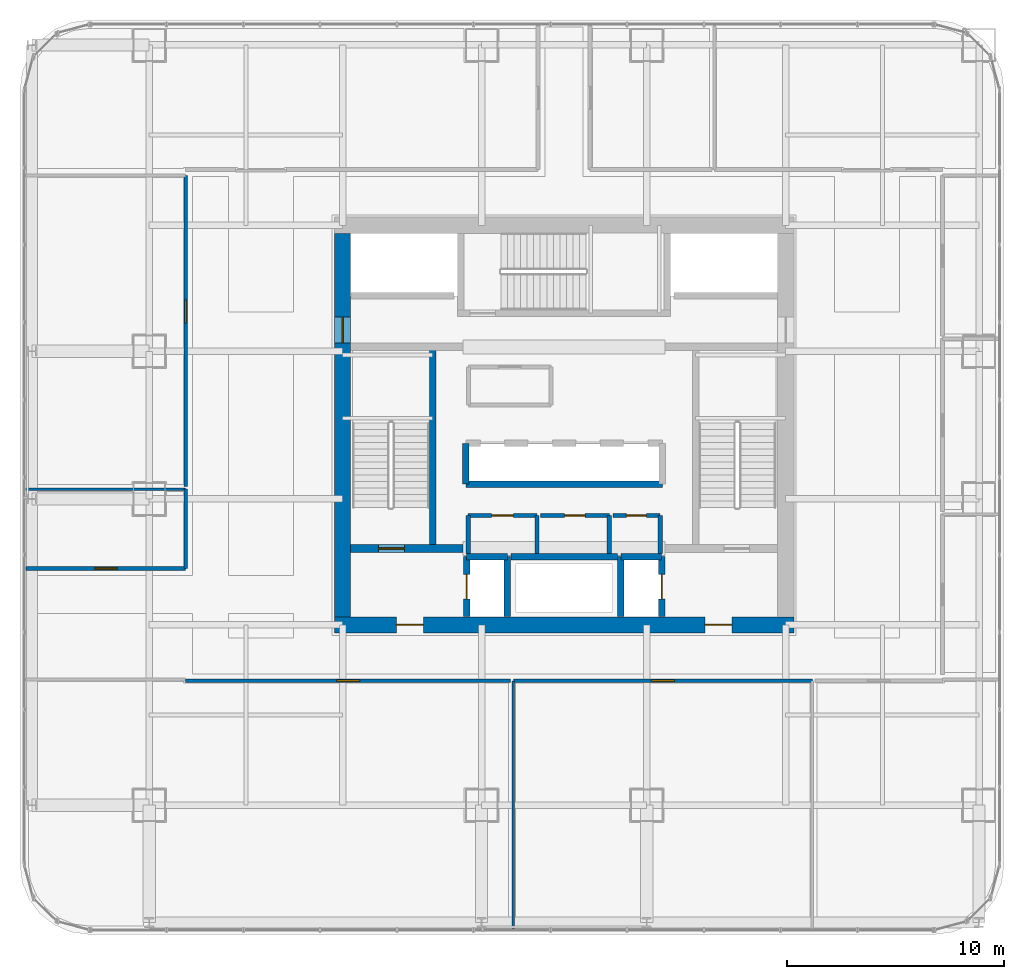
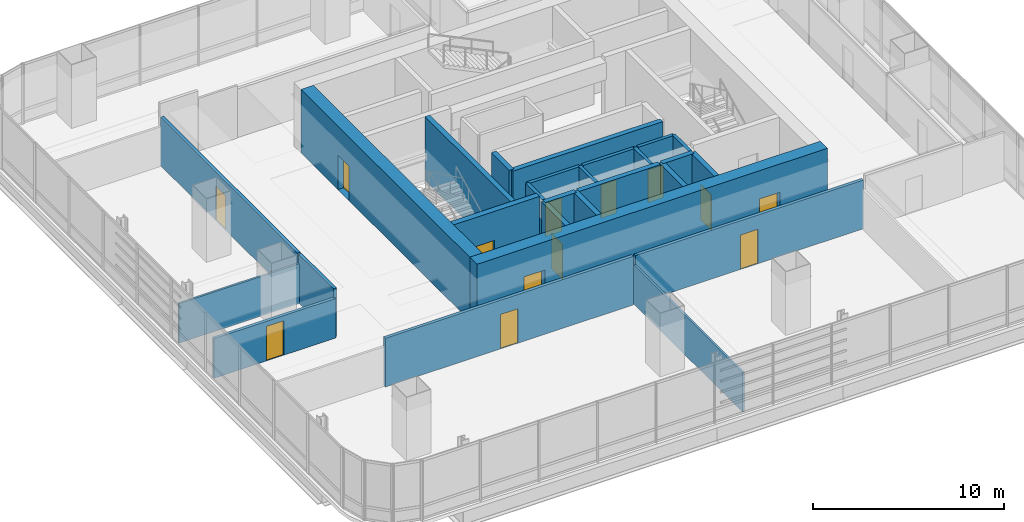
# One storey, part 28 of 36: 27 walls, 13 doors, 13 openings.
"""IFC4 building model written with IfcOpenShell, lengths in metres."""

from ifc_helpers import new_model, si_unit, direction, frame, frame_2d, origin, place, context, subcontext, project, spatial, rectangle, extrude, material, layer, layer_set, type_object, element, fill, save


model = new_model("IFC4")

# Units and contexts
model_context = context("Model", 3, precision=1e-05, world=origin(), true_north=direction((0.0, 1.0)))
body_context = subcontext(model_context, "Body", "Model", "MODEL_VIEW")
ifc_project = project(units=[si_unit("LENGTHUNIT", "METRE"), si_unit("AREAUNIT", "SQUARE_METRE"), si_unit("VOLUMEUNIT", "CUBIC_METRE"), si_unit("PLANEANGLEUNIT", "RADIAN"), si_unit("MASSUNIT", "GRAM", prefix="KILO")], contexts=[model_context])

# Site, building, storey
site_placement = place(None, origin())
site = spatial("IfcSite", under=ifc_project, at=site_placement, CompositionType="ELEMENT")
building_placement = place(site_placement, origin())
building = spatial("IfcBuilding", under=site, at=building_placement, Name="Punatoya Terracotta Tower", CompositionType="ELEMENT")
storey_placement = place(building_placement, frame((0.0, 0.0, 40.35009765625)))
storey = spatial("IfcBuildingStorey", under=building, at=storey_placement, Name="L08", CompositionType="ELEMENT", Elevation=40.35009765625)

# Wall, openings, doors
ifc_material_1 = material(Name="Concrete C60/75", Category="concrete")
ifc_layer_1 = layer(ifc_material_1, 0.75)
ifc_layer_set_1 = layer_set([ifc_layer_1], Name="Concrete C60/75")
wall_type_1 = type_object("IfcWallType", Name="WL-COR-750", PredefinedType="SHEAR", material=ifc_layer_set_1)
wall_1_placement = place(storey_placement, frame((10.574951171875, -9.199951171875, 0.0), z_axis=(0.0, 0.0, 1.0), x_axis=(-1.0, 0.0, 0.0)))
wall_1 = element("IfcWall", 1, at=wall_1_placement, inside=storey, type_object=wall_type_1, Name="L08 Core Shear Wall S", PredefinedType="SHEAR", context=body_context, shape_type="SweptSolid", body=[
    extrude(rectangle(XDim=21.14990234375, YDim=0.75, at=frame_2d((10.574951171875, 0.0))), origin(), (0.0, 0.0, 1.0), 4.0498046875),
])
opening_1_placement = place(wall_1_placement, frame((2.85009765625, 0.0, 0.0)))
opening_1 = element("IfcOpeningElement", 2, at=opening_1_placement, cuts=wall_1, Name="Opening FD-L1", PredefinedType="OPENING", context=body_context, shape_type="SweptSolid", body=[
    extrude(rectangle(XDim=1.25, YDim=2.25, at=frame_2d((0.625, 1.125))), frame((0.0, 0.385009765625, 0.0), z_axis=(0.0, -1.0, 0.0), x_axis=(1.0, 0.0, 0.0)), (0.0, 0.0, 1.0), 0.77001953125),
])
opening_2_placement = place(wall_1_placement, frame((17.050048828125, 0.0, 0.0)))
opening_2 = element("IfcOpeningElement", 3, at=opening_2_placement, cuts=wall_1, Name="Opening FD-L1", PredefinedType="OPENING", context=body_context, shape_type="SweptSolid", body=[
    extrude(rectangle(XDim=1.25, YDim=2.25, at=frame_2d((0.625, 1.125))), frame((0.0, 0.385009765625, 0.0), z_axis=(0.0, -1.0, 0.0), x_axis=(1.0, 0.0, 0.0)), (0.0, 0.0, 1.0), 0.77001953125),
])
ifc_material_2 = material(Name="Galvanised Steel Smokeproof Fire Door", Category="steel")
door_type_1 = type_object("IfcDoorType", Name="DR-FFL-1250", OperationType="NOTDEFINED", PredefinedType="DOOR", material=ifc_material_2)
door_1_placement = place(opening_1_placement, origin())
door_1 = element("IfcDoor", 4, at=door_1_placement, inside=storey, type_object=door_type_1, Name="L08 East Firefighting Lobby Corridor Fire Door", OperationType="SINGLE_SWING_LEFT", OverallHeight=2.25, OverallWidth=1.25, PredefinedType="DOOR", context=body_context, shape_type="SweptSolid", body=[
    extrude(rectangle(XDim=1.25, YDim=2.25, at=frame_2d((0.625, 1.125))), frame((0.0, 0.02490234375, 0.0), z_axis=(0.0, -1.0, 0.0), x_axis=(1.0, 0.0, 0.0)), (0.0, 0.0, 1.0), 0.050048828125),
])
fill(opening_1, door_1)
door_2_placement = place(opening_2_placement, origin())
door_2 = element("IfcDoor", 5, at=door_2_placement, inside=storey, type_object=door_type_1, Name="L08 West Firefighting Lobby Corridor Fire Door", OperationType="SINGLE_SWING_RIGHT", OverallHeight=2.25, OverallWidth=1.25, PredefinedType="DOOR", context=body_context, shape_type="SweptSolid", body=[
    extrude(rectangle(XDim=1.25, YDim=2.25, at=frame_2d((0.625, 1.125))), frame((0.0, 0.02490234375, 0.0), z_axis=(0.0, -1.0, 0.0), x_axis=(1.0, 0.0, 0.0)), (0.0, 0.0, 1.0), 0.050048828125),
])
fill(opening_2, door_2)

# Wall, opening, door
wall_2_placement = place(storey_placement, frame((-10.199951171875, -8.824951171875, 0.0), z_axis=(0.0, 0.0, 1.0), x_axis=(0.0, 1.0, 0.0)))
wall_2 = element("IfcWall", 6, at=wall_2_placement, inside=storey, type_object=wall_type_1, Name="L08 Core Shear Wall W", PredefinedType="SHEAR", context=body_context, shape_type="SweptSolid", body=[
    extrude(rectangle(XDim=17.64990234375, YDim=0.75, at=frame_2d((8.824951171875, 0.0))), origin(), (0.0, 0.0, 1.0), 4.0498046875),
])
opening_3_placement = place(wall_2_placement, frame((12.614990234375, 0.0, 0.0)))
opening_3 = element("IfcOpeningElement", 7, at=opening_3_placement, cuts=wall_2, Name="Opening SD-01", PredefinedType="OPENING", context=body_context, shape_type="SweptSolid", body=[
    extrude(rectangle(XDim=1.179931640625, YDim=2.199951171875, at=frame_2d((0.58984375, 1.10009765625))), frame((0.0, 0.385009765625, 0.0), z_axis=(0.0, -1.0, 0.0), x_axis=(1.0, 0.0, 0.0)), (0.0, 0.0, 1.0), 0.77001953125),
])
ifc_material_3 = material(Name="Galvanised Steel Pressurized Stair Fire Door", Category="steel")
door_type_2 = type_object("IfcDoorType", Name="DR-STR-1180", OperationType="NOTDEFINED", PredefinedType="DOOR", material=ifc_material_3)
door_3_placement = place(opening_3_placement, origin())
door_3 = element("IfcDoor", 8, at=door_3_placement, inside=storey, type_object=door_type_2, Name="L08 Central Lift Lobby West Fire Door", OperationType="SINGLE_SWING_LEFT", OverallHeight=2.199951171875, OverallWidth=1.179931640625, PredefinedType="DOOR", context=body_context, shape_type="SweptSolid", body=[
    extrude(rectangle(XDim=1.179931640625, YDim=2.199951171875, at=frame_2d((0.58984375, 1.10009765625))), frame((0.0, 0.02490234375, 0.0), z_axis=(0.0, -1.0, 0.0), x_axis=(1.0, 0.0, 0.0)), (0.0, 0.0, 1.0), 0.050048828125),
])
fill(opening_3, door_3)

ifc_material_4 = material(Name="Gypsum Fireboard + Steel Stud", Category="steel")
ifc_layer_2 = layer(ifc_material_4, 0.179931640625)
ifc_layer_set_2 = layer_set([ifc_layer_2], Name="Gypsum Fireboard + Steel Stud")
wall_type_2 = type_object("IfcWallType", Name="WL-CORR-180", PredefinedType="PARTITIONING", material=ifc_layer_set_2)
wall_3_placement = place(storey_placement, frame((-2.340087890625, -11.77001953125, 0.0), z_axis=(0.0, 0.0, 1.0), x_axis=(1.0, 0.0, 0.0)))
wall_3 = element("IfcWall", 9, at=wall_3_placement, inside=storey, type_object=wall_type_2, Name="L08 Open Workplace Studio Partition 14", PredefinedType="PARTITIONING", context=body_context, shape_type="SweptSolid", body=[
    extrude(rectangle(XDim=13.77001953125, YDim=0.179931640625, at=frame_2d((6.885009765625, 0.0))), origin(), (0.0, 0.0, 1.0), 3.10400390625),
])
opening_4_placement = place(wall_3_placement, frame((6.360107421875, 0.0, 0.0)))
opening_4 = element("IfcOpeningElement", 10, at=opening_4_placement, cuts=wall_3, Name="Opening OD-01", PredefinedType="OPENING", context=body_context, shape_type="SweptSolid", body=[
    extrude(rectangle(XDim=1.050048828125, YDim=2.199951171875, at=frame_2d((0.52490234375, 1.10009765625))), frame((0.0, 0.099853515625, 0.0), z_axis=(0.0, -1.0, 0.0), x_axis=(1.0, 0.0, 0.0)), (0.0, 0.0, 1.0), 0.199951171875),
])
ifc_material_5 = material(Name="Bengal Teak Solid-Core Leaf")
door_type_3 = type_object("IfcDoorType", Name="DR-OFF-1050", OperationType="NOTDEFINED", PredefinedType="DOOR", material=ifc_material_5)
door_4_placement = place(opening_4_placement, origin())
door_4 = element("IfcDoor", 11, at=door_4_placement, inside=storey, type_object=door_type_3, Name="L08 Open Workplace Studio Door", OperationType="SINGLE_SWING_RIGHT", OverallHeight=2.199951171875, OverallWidth=1.050048828125, PredefinedType="DOOR", context=body_context, shape_type="SweptSolid", body=[
    extrude(rectangle(XDim=1.050048828125, YDim=2.199951171875, at=frame_2d((0.52490234375, 1.10009765625))), frame((0.0, 0.02490234375, 0.0), z_axis=(0.0, -1.0, 0.0), x_axis=(1.0, 0.0, 0.0)), (0.0, 0.0, 1.0), 0.050048828125),
])
fill(opening_4, door_4)

wall_4_placement = place(storey_placement, frame((-17.419921875, -11.77001953125, 0.0), z_axis=(0.0, 0.0, 1.0), x_axis=(1.0, 0.0, 0.0)))
wall_4 = element("IfcWall", 12, at=wall_4_placement, inside=storey, type_object=wall_type_2, Name="L08 Analytical Practice Office Partition 15", PredefinedType="PARTITIONING", context=body_context, shape_type="SweptSolid", body=[
    extrude(rectangle(XDim=14.9599609375, YDim=0.179931640625, at=frame_2d((7.47998046875, 0.0))), origin(), (0.0, 0.0, 1.0), 3.10400390625),
])
opening_5_placement = place(wall_4_placement, frame((6.955078125, 0.0, 0.0)))
opening_5 = element("IfcOpeningElement", 13, at=opening_5_placement, cuts=wall_4, Name="Opening OD-01", PredefinedType="OPENING", context=body_context, shape_type="SweptSolid", body=[
    extrude(rectangle(XDim=1.050048828125, YDim=2.199951171875, at=frame_2d((0.52490234375, 1.10009765625))), frame((0.0, 0.099853515625, 0.0), z_axis=(0.0, -1.0, 0.0), x_axis=(1.0, 0.0, 0.0)), (0.0, 0.0, 1.0), 0.199951171875),
])
door_5_placement = place(opening_5_placement, origin())
door_5 = element("IfcDoor", 14, at=door_5_placement, inside=storey, type_object=door_type_3, Name="L08 Analytical Practice Office Door", OperationType="SINGLE_SWING_LEFT", OverallHeight=2.199951171875, OverallWidth=1.050048828125, PredefinedType="DOOR", context=body_context, shape_type="SweptSolid", body=[
    extrude(rectangle(XDim=1.050048828125, YDim=2.199951171875, at=frame_2d((0.52490234375, 1.10009765625))), frame((0.0, 0.02490234375, 0.0), z_axis=(0.0, -1.0, 0.0), x_axis=(1.0, 0.0, 0.0)), (0.0, 0.0, 1.0), 0.050048828125),
])
fill(opening_5, door_5)

wall_5_placement = place(storey_placement, frame((-17.419921875, -6.60009765625, 0.0), z_axis=(0.0, 0.0, 1.0), x_axis=(-1.0, 0.0, 0.0)))
wall_5 = element("IfcWall", 15, at=wall_5_placement, inside=storey, type_object=wall_type_2, Name="L08 Open-Plan Digital Reference Library Partition 21", PredefinedType="PARTITIONING", context=body_context, shape_type="SweptSolid", body=[
    extrude(rectangle(XDim=7.35009765625, YDim=0.179931640625, at=frame_2d((3.675048828125, 0.0))), origin(), (0.0, 0.0, 1.0), 2.52392578125),
])
opening_6_placement = place(wall_5_placement, frame((3.14990234375, 0.0, 0.0)))
opening_6 = element("IfcOpeningElement", 16, at=opening_6_placement, cuts=wall_5, Name="Opening OD-01", PredefinedType="OPENING", context=body_context, shape_type="SweptSolid", body=[
    extrude(rectangle(XDim=1.050048828125, YDim=2.199951171875, at=frame_2d((0.52490234375, 1.10009765625))), frame((0.0, 0.099853515625, 0.0), z_axis=(0.0, -1.0, 0.0), x_axis=(1.0, 0.0, 0.0)), (0.0, 0.0, 1.0), 0.199951171875),
])
door_6_placement = place(opening_6_placement, origin())
door_6 = element("IfcDoor", 17, at=door_6_placement, inside=storey, type_object=door_type_3, Name="L08 Open-Plan Digital Reference Library Door", OperationType="SINGLE_SWING_RIGHT", OverallHeight=2.199951171875, OverallWidth=1.050048828125, PredefinedType="DOOR", context=body_context, shape_type="SweptSolid", body=[
    extrude(rectangle(XDim=1.050048828125, YDim=2.199951171875, at=frame_2d((0.52490234375, 1.10009765625))), frame((0.0, 0.02490234375, 0.0), z_axis=(0.0, -1.0, 0.0), x_axis=(1.0, 0.0, 0.0)), (0.0, 0.0, 1.0), 0.050048828125),
])
fill(opening_6, door_6)

# Wall
wall_6_placement = place(storey_placement, frame((-17.419921875, -2.947998046875, 0.0), z_axis=(0.0, 0.0, 1.0), x_axis=(0.0, -1.0, 0.0)))
element("IfcWall", 18, at=wall_6_placement, inside=storey, type_object=wall_type_2, Name="L08 Open-Plan Digital Reference Library Partition 23", PredefinedType="PARTITIONING", context=body_context, shape_type="SweptSolid", body=[
    extrude(rectangle(XDim=3.652099609375, YDim=0.179931640625, at=frame_2d((1.826171875, 0.0))), origin(), (0.0, 0.0, 1.0), 3.10400390625),
])

# Wall, opening, door
wall_7_placement = place(storey_placement, frame((-17.419921875, 11.489990234375, 0.0), z_axis=(0.0, 0.0, 1.0), x_axis=(0.0, -1.0, 0.0)))
wall_7 = element("IfcWall", 19, at=wall_7_placement, inside=storey, type_object=wall_type_2, Name="L08 Open-Plan Wellness Quiet Room Partition 27", PredefinedType="PARTITIONING", context=body_context, shape_type="SweptSolid", body=[
    extrude(rectangle(XDim=14.31787109375, YDim=0.179931640625, at=frame_2d((7.158935546875, 0.0))), origin(), (0.0, 0.0, 1.0), 3.10400390625),
])
opening_7_placement = place(wall_7_placement, frame((5.73388671875, 0.0, 0.0)))
opening_7 = element("IfcOpeningElement", 20, at=opening_7_placement, cuts=wall_7, Name="Opening OD-01", PredefinedType="OPENING", context=body_context, shape_type="SweptSolid", body=[
    extrude(rectangle(XDim=1.050048828125, YDim=2.199951171875, at=frame_2d((0.52490234375, 1.10009765625))), frame((0.0, 0.099853515625, 0.0), z_axis=(0.0, -1.0, 0.0), x_axis=(1.0, 0.0, 0.0)), (0.0, 0.0, 1.0), 0.199951171875),
])
door_7_placement = place(opening_7_placement, origin())
door_7 = element("IfcDoor", 21, at=door_7_placement, inside=storey, type_object=door_type_3, Name="L08 Open-Plan Wellness Quiet Room Door", OperationType="SINGLE_SWING_RIGHT", OverallHeight=2.199951171875, OverallWidth=1.050048828125, PredefinedType="DOOR", context=body_context, shape_type="SweptSolid", body=[
    extrude(rectangle(XDim=1.050048828125, YDim=2.199951171875, at=frame_2d((0.52490234375, 1.10009765625))), frame((0.0, 0.02490234375, 0.0), z_axis=(0.0, -1.0, 0.0), x_axis=(1.0, 0.0, 0.0)), (0.0, 0.0, 1.0), 0.050048828125),
])
fill(opening_7, door_7)

# Wall
ifc_material_6 = material(Name="Concrete C40/50", Category="concrete")
ifc_layer_3 = layer(ifc_material_6, 0.199951171875)
ifc_layer_set_3 = layer_set([ifc_layer_3], Name="Concrete C40/50")
wall_type_3 = type_object("IfcWallType", Name="WL-INT-200", PredefinedType="SOLIDWALL", material=ifc_layer_set_3)
wall_8_placement = place(storey_placement, frame((-1.25, -5.89990234375, 0.0), z_axis=(0.0, 0.0, 1.0), x_axis=(0.0, 1.0, 0.0)))
element("IfcWall", 22, at=wall_8_placement, inside=storey, type_object=wall_type_3, Name="L08 Accessible Universal Washroom Partition 01", PredefinedType="SOLIDWALL", context=body_context, shape_type="SweptSolid", body=[
    extrude(rectangle(XDim=1.739990234375, YDim=0.199951171875, at=frame_2d((0.8701171875, 0.0))), origin(), (0.0, 0.0, 1.0), 3.809814453125),
])

# Wall, opening, door
wall_9_placement = place(storey_placement, frame((-1.25, -4.159912109375, 0.0), z_axis=(0.0, 0.0, 1.0), x_axis=(-1.0, 0.0, 0.0)))
wall_9 = element("IfcWall", 23, at=wall_9_placement, inside=storey, type_object=wall_type_3, Name="L08 Accessible Universal Washroom Partition 02", PredefinedType="SOLIDWALL", context=body_context, shape_type="SweptSolid", body=[
    extrude(rectangle(XDim=3.169921875, YDim=0.199951171875, at=frame_2d((1.5849609375, 0.0))), origin(), (0.0, 0.0, 1.0), 3.809814453125),
])
opening_8_placement = place(wall_9_placement, frame((1.0849609375, 0.0, 0.0)))
opening_8 = element("IfcOpeningElement", 24, at=opening_8_placement, cuts=wall_9, Name="Opening AWD-1", PredefinedType="OPENING", context=body_context, shape_type="SweptSolid", body=[
    extrude(rectangle(XDim=1.0, YDim=2.14990234375, at=frame_2d((0.5, 1.074951171875))), frame((0.0, 0.10986328125, 0.0), z_axis=(0.0, -1.0, 0.0), x_axis=(1.0, 0.0, 0.0)), (0.0, 0.0, 1.0), 0.219970703125),
])
ifc_material_7 = material(Name="Bengal Teak Accessible WC Leaf")
door_type_4 = type_object("IfcDoorType", Name="DR-ACC-1000", OperationType="NOTDEFINED", PredefinedType="DOOR", material=ifc_material_7)
door_8_placement = place(opening_8_placement, origin())
door_8 = element("IfcDoor", 25, at=door_8_placement, inside=storey, type_object=door_type_4, Name="L08 Accessible Universal Washroom Door", OperationType="SINGLE_SWING_RIGHT", OverallHeight=2.14990234375, OverallWidth=1.0, PredefinedType="DOOR", context=body_context, shape_type="SweptSolid", body=[
    extrude(rectangle(XDim=1.0, YDim=2.14990234375, at=frame_2d((0.5, 1.074951171875))), frame((0.0, 0.02490234375, 0.0), z_axis=(0.0, -1.0, 0.0), x_axis=(1.0, 0.0, 0.0)), (0.0, 0.0, 1.0), 0.050048828125),
])
fill(opening_8, door_8)

# Walls
for number, where, z_axis, x_axis, name in (
    (26, (-4.419921875, -4.159912109375, 0.0), (0.0, 0.0, 1.0), (0.0, -1.0, 0.0), "L08 Accessible Universal Washroom Partition 03"),
    (27, (2.080078125, -5.89990234375, 0.0), (0.0, 0.0, 1.0), (0.0, 1.0, 0.0), "L08 All-Gender Universal Washroom Partition 04"),
):
    element("IfcWall", number, at=place(storey_placement, frame(where, z_axis=z_axis, x_axis=x_axis)), inside=storey, type_object=wall_type_3, Name=name, PredefinedType="SOLIDWALL", context=body_context, shape_type="SweptSolid", body=[
        extrude(rectangle(XDim=1.739990234375, YDim=0.199951171875, at=frame_2d((0.8701171875, 0.0))), origin(), (0.0, 0.0, 1.0), 3.809814453125),
    ])

# Wall, opening, door
wall_10_placement = place(storey_placement, frame((2.080078125, -4.159912109375, 0.0), z_axis=(0.0, 0.0, 1.0), x_axis=(-1.0, 0.0, 0.0)))
wall_10 = element("IfcWall", 28, at=wall_10_placement, inside=storey, type_object=wall_type_3, Name="L08 All-Gender Universal Washroom Partition 05", PredefinedType="SOLIDWALL", context=body_context, shape_type="SweptSolid", body=[
    extrude(rectangle(XDim=3.170166015625, YDim=0.199951171875, at=frame_2d((1.5849609375, 0.0))), origin(), (0.0, 0.0, 1.0), 3.809814453125),
])
opening_9_placement = place(wall_10_placement, frame((1.110107421875, 0.0, 0.0)))
opening_9 = element("IfcOpeningElement", 29, at=opening_9_placement, cuts=wall_10, Name="Opening WD-01", PredefinedType="OPENING", context=body_context, shape_type="SweptSolid", body=[
    extrude(rectangle(XDim=0.949951171875, YDim=2.14990234375, at=frame_2d((0.47509765625, 1.074951171875))), frame((0.0, 0.10986328125, 0.0), z_axis=(0.0, -1.0, 0.0), x_axis=(1.0, 0.0, 0.0)), (0.0, 0.0, 1.0), 0.219970703125),
])
ifc_material_8 = material(Name="Moisture-Resistant Laminate Timber Leaf", Category="wood")
door_type_5 = type_object("IfcDoorType", Name="DR-WC-950", OperationType="NOTDEFINED", PredefinedType="DOOR", material=ifc_material_8)
door_9_placement = place(opening_9_placement, origin())
door_9 = element("IfcDoor", 30, at=door_9_placement, inside=storey, type_object=door_type_5, Name="L08 All-Gender Universal Washroom Door", OperationType="SINGLE_SWING_LEFT", OverallHeight=2.14990234375, OverallWidth=0.949951171875, PredefinedType="DOOR", context=body_context, shape_type="SweptSolid", body=[
    extrude(rectangle(XDim=0.949951171875, YDim=2.14990234375, at=frame_2d((0.47509765625, 1.074951171875))), frame((0.0, 0.02490234375, 0.0), z_axis=(0.0, -1.0, 0.0), x_axis=(1.0, 0.0, 0.0)), (0.0, 0.0, 1.0), 0.050048828125),
])
fill(opening_9, door_9)

# Wall
wall_11_placement = place(storey_placement, frame((4.419921875, -5.89990234375, 0.0), z_axis=(0.0, 0.0, 1.0), x_axis=(0.0, 1.0, 0.0)))
element("IfcWall", 31, at=wall_11_placement, inside=storey, type_object=wall_type_3, Name="L08 Core Electrical Switchgear Room Partition 06", PredefinedType="SOLIDWALL", context=body_context, shape_type="SweptSolid", body=[
    extrude(rectangle(XDim=1.739990234375, YDim=0.199951171875, at=frame_2d((0.8701171875, 0.0))), origin(), (0.0, 0.0, 1.0), 3.809814453125),
])

# Wall, opening, door
wall_12_placement = place(storey_placement, frame((4.419921875, -4.159912109375, 0.0), z_axis=(0.0, 0.0, 1.0), x_axis=(-1.0, 0.0, 0.0)))
wall_12 = element("IfcWall", 32, at=wall_12_placement, inside=storey, type_object=wall_type_3, Name="L08 Core Electrical Switchgear Room Partition 07", PredefinedType="SOLIDWALL", context=body_context, shape_type="SweptSolid", body=[
    extrude(rectangle(XDim=2.179931640625, YDim=0.199951171875, at=frame_2d((1.08984375, 0.0))), origin(), (0.0, 0.0, 1.0), 3.809814453125),
])
opening_10_placement = place(wall_12_placement, frame((0.6298828125, 0.0, 0.0)))
opening_10 = element("IfcOpeningElement", 33, at=opening_10_placement, cuts=wall_12, Name="Opening FD-R1", PredefinedType="OPENING", context=body_context, shape_type="SweptSolid", body=[
    extrude(rectangle(XDim=0.919921875, YDim=2.10009765625, at=frame_2d((0.4599609375, 1.050048828125))), frame((0.0, 0.10986328125, 0.0), z_axis=(0.0, -1.0, 0.0), x_axis=(1.0, 0.0, 0.0)), (0.0, 0.0, 1.0), 0.219970703125),
])
ifc_material_9 = material(Name="Galvanised Steel Riser Fire Access Door", Category="steel")
door_type_6 = type_object("IfcDoorType", Name="DR-RSR-920", OperationType="NOTDEFINED", PredefinedType="DOOR", material=ifc_material_9)
door_10_placement = place(opening_10_placement, origin())
door_10 = element("IfcDoor", 34, at=door_10_placement, inside=storey, type_object=door_type_6, Name="L08 Core Electrical Switchgear Room Fire Door", OperationType="SINGLE_SWING_RIGHT", OverallHeight=2.10009765625, OverallWidth=0.919921875, PredefinedType="DOOR", context=body_context, shape_type="SweptSolid", body=[
    extrude(rectangle(XDim=0.919921875, YDim=2.10009765625, at=frame_2d((0.4599609375, 1.050048828125))), frame((0.0, 0.02490234375, 0.0), z_axis=(0.0, -1.0, 0.0), x_axis=(1.0, 0.0, 0.0)), (0.0, 0.0, 1.0), 0.050048828125),
])
fill(opening_10, door_10)

# Walls
ifc_material_10 = material(Name="Gypsum Partition + Steel Stud", Category="steel")
ifc_layer_4 = layer(ifc_material_10, 0.1201171875)
ifc_layer_set_4 = layer_set([ifc_layer_4], Name="Gypsum Partition + Steel Stud")
wall_type_4 = type_object("IfcWallType", Name="WL-OFF-120", PredefinedType="PARTITIONING", material=ifc_layer_set_4)
wall_13_placement = place(storey_placement, frame((-2.340087890625, -23.169921875, 0.0), z_axis=(0.0, 0.0, 1.0), x_axis=(0.0, 1.0, 0.0)))
element("IfcWall", 35, at=wall_13_placement, inside=storey, type_object=wall_type_4, Name="L08 Open Workplace Studio Partition 13", PredefinedType="PARTITIONING", context=body_context, shape_type="SweptSolid", body=[
    extrude(rectangle(XDim=11.39990234375, YDim=0.1201171875, at=frame_2d((5.699951171875, 0.0))), origin(), (0.0, 0.0, 1.0), 2.52392578125),
])
wall_14_placement = place(storey_placement, frame((-24.77001953125, -2.947998046875, 0.0), z_axis=(0.0, 0.0, 1.0), x_axis=(1.0, 0.0, 0.0)))
element("IfcWall", 36, at=wall_14_placement, inside=storey, type_object=wall_type_4, Name="L08 Open-Plan Digital Reference Library Partition 22", PredefinedType="PARTITIONING", context=body_context, shape_type="SweptSolid", body=[
    extrude(rectangle(XDim=7.35009765625, YDim=0.1201171875, at=frame_2d((3.675048828125, 0.0))), origin(), (0.0, 0.0, 1.0), 2.52392578125),
])
ifc_layer_5 = layer(ifc_material_6, 0.300048828125)
ifc_layer_set_5 = layer_set([ifc_layer_5], Name="Concrete C40/50")
wall_type_5 = type_object("IfcWallType", Name="WL-SHF-300", PredefinedType="SOLIDWALL", material=ifc_layer_set_5)
wall_15_placement = place(storey_placement, frame((-6.050048828125, -5.5, 0.0), z_axis=(0.0, 0.0, 1.0), x_axis=(0.0, 1.0, 0.0)))
element("IfcWall", 37, at=wall_15_placement, inside=storey, type_object=wall_type_5, Name="L08 Structural Stair Shaft Wall SW-ST1-E", PredefinedType="SOLIDWALL", context=body_context, shape_type="SweptSolid", body=[
    extrude(rectangle(XDim=8.949951171875, YDim=0.300048828125, at=frame_2d((4.47509765625, 0.0))), origin(), (0.0, 0.0, 1.0), 4.0498046875),
])

# Wall, opening, door
wall_16_placement = place(storey_placement, frame((-4.489990234375, -8.820068359375, 0.0), z_axis=(0.0, 0.0, 1.0), x_axis=(0.0, 1.0, 0.0)))
wall_16 = element("IfcWall", 38, at=wall_16_placement, inside=storey, type_object=wall_type_5, Name="L08 FFL-1 Front Hoistway Wall", PredefinedType="SOLIDWALL", context=body_context, shape_type="SweptSolid", body=[
    extrude(rectangle(XDim=2.77001953125, YDim=0.300048828125, at=frame_2d((1.385009765625, 0.0))), origin(), (0.0, 0.0, 1.0), 3.809814453125),
])
opening_11_placement = place(wall_16_placement, frame((0.824951171875, 0.0, 0.0)))
opening_11 = element("IfcOpeningElement", 39, at=opening_11_placement, cuts=wall_16, Name="Opening LD-02", PredefinedType="OPENING", context=body_context, shape_type="SweptSolid", body=[
    extrude(rectangle(XDim=1.1201171875, YDim=2.25, at=frame_2d((0.56005859375, 1.125))), frame((0.0, 0.159912109375, 0.0), z_axis=(0.0, -1.0, 0.0), x_axis=(1.0, 0.0, 0.0)), (0.0, 0.0, 1.0), 0.320068359375),
])
ifc_material_11 = material(Name="Stainless Steel Lift Landing Door", Category="steel")
door_type_7 = type_object("IfcDoorType", Name="DR-LND-1120", OperationType="NOTDEFINED", PredefinedType="DOOR", material=ifc_material_11)
door_11_placement = place(opening_11_placement, origin())
door_11 = element("IfcDoor", 40, at=door_11_placement, inside=storey, type_object=door_type_7, Name="L08 Firefighting Lift FFL-1 Sliding Landing Door", OperationType="SLIDING_TO_LEFT", OverallHeight=2.25, OverallWidth=1.1201171875, PredefinedType="DOOR", context=body_context, shape_type="SweptSolid", body=[
    extrude(rectangle(XDim=1.1201171875, YDim=2.25, at=frame_2d((0.56005859375, 1.125))), frame((0.0, 0.02490234375, 0.0), z_axis=(0.0, -1.0, 0.0), x_axis=(1.0, 0.0, 0.0)), (0.0, 0.0, 1.0), 0.050048828125),
])
fill(opening_11, door_11)

# Walls
wall_17_placement = place(storey_placement, frame((-2.610107421875, -8.820068359375, 0.0), z_axis=(0.0, 0.0, 1.0), x_axis=(0.0, 1.0, 0.0)))
element("IfcWall", 41, at=wall_17_placement, inside=storey, type_object=wall_type_5, Name="L08 FFL-1 Rear Hoistway Wall", PredefinedType="SOLIDWALL", context=body_context, shape_type="SweptSolid", body=[
    extrude(rectangle(XDim=2.77001953125, YDim=0.300048828125, at=frame_2d((1.385009765625, 0.0))), origin(), (0.0, 0.0, 1.0), 3.809814453125),
])
wall_18_placement = place(storey_placement, frame((-4.489990234375, -6.050048828125, 0.0), z_axis=(0.0, 0.0, 1.0), x_axis=(1.0, 0.0, 0.0)))
element("IfcWall", 42, at=wall_18_placement, inside=storey, type_object=wall_type_5, Name="L08 FFL-1 North Hoistway Wall", PredefinedType="SOLIDWALL", context=body_context, shape_type="SweptSolid", body=[
    extrude(rectangle(XDim=1.8798828125, YDim=0.300048828125, at=frame_2d((0.93994140625, 0.0))), origin(), (0.0, 0.0, 1.0), 3.809814453125),
])

# Wall, opening, door
wall_19_placement = place(storey_placement, frame((4.489990234375, -8.820068359375, 0.0), z_axis=(0.0, 0.0, 1.0), x_axis=(0.0, 1.0, 0.0)))
wall_19 = element("IfcWall", 43, at=wall_19_placement, inside=storey, type_object=wall_type_5, Name="L08 FFL-2 Front Hoistway Wall", PredefinedType="SOLIDWALL", context=body_context, shape_type="SweptSolid", body=[
    extrude(rectangle(XDim=2.77001953125, YDim=0.300048828125, at=frame_2d((1.385009765625, 0.0))), origin(), (0.0, 0.0, 1.0), 3.809814453125),
])
opening_12_placement = place(wall_19_placement, frame((0.824951171875, 0.0, 0.0)))
opening_12 = element("IfcOpeningElement", 44, at=opening_12_placement, cuts=wall_19, Name="Opening LD-02", PredefinedType="OPENING", context=body_context, shape_type="SweptSolid", body=[
    extrude(rectangle(XDim=1.1201171875, YDim=2.25, at=frame_2d((0.56005859375, 1.125))), frame((0.0, 0.159912109375, 0.0), z_axis=(0.0, -1.0, 0.0), x_axis=(1.0, 0.0, 0.0)), (0.0, 0.0, 1.0), 0.320068359375),
])
door_12_placement = place(opening_12_placement, origin())
door_12 = element("IfcDoor", 45, at=door_12_placement, inside=storey, type_object=door_type_7, Name="L08 Firefighting Lift FFL-2 Sliding Landing Door", OperationType="SLIDING_TO_RIGHT", OverallHeight=2.25, OverallWidth=1.1201171875, PredefinedType="DOOR", context=body_context, shape_type="SweptSolid", body=[
    extrude(rectangle(XDim=1.1201171875, YDim=2.25, at=frame_2d((0.56005859375, 1.125))), frame((0.0, 0.02490234375, 0.0), z_axis=(0.0, -1.0, 0.0), x_axis=(1.0, 0.0, 0.0)), (0.0, 0.0, 1.0), 0.050048828125),
])
fill(opening_12, door_12)

# Walls
wall_20_placement = place(storey_placement, frame((2.610107421875, -8.820068359375, 0.0), z_axis=(0.0, 0.0, 1.0), x_axis=(0.0, 1.0, 0.0)))
element("IfcWall", 46, at=wall_20_placement, inside=storey, type_object=wall_type_5, Name="L08 FFL-2 Rear Hoistway Wall", PredefinedType="SOLIDWALL", context=body_context, shape_type="SweptSolid", body=[
    extrude(rectangle(XDim=2.77001953125, YDim=0.300048828125, at=frame_2d((1.385009765625, 0.0))), origin(), (0.0, 0.0, 1.0), 3.809814453125),
])
wall_21_placement = place(storey_placement, frame((2.610107421875, -6.050048828125, 0.0), z_axis=(0.0, 0.0, 1.0), x_axis=(1.0, 0.0, 0.0)))
element("IfcWall", 47, at=wall_21_placement, inside=storey, type_object=wall_type_5, Name="L08 FFL-2 North Hoistway Wall", PredefinedType="SOLIDWALL", context=body_context, shape_type="SweptSolid", body=[
    extrude(rectangle(XDim=1.8798828125, YDim=0.300048828125, at=frame_2d((0.93994140625, 0.0))), origin(), (0.0, 0.0, 1.0), 3.809814453125),
])
wall_22_placement = place(storey_placement, frame((-4.52001953125, -2.719970703125, 0.0), z_axis=(0.0, 0.0, 1.0), x_axis=(1.0, 0.0, 0.0)))
element("IfcWall", 48, at=wall_22_placement, inside=storey, type_object=wall_type_5, Name="L08 South Lift Bank Rear Shaft Wall", PredefinedType="SOLIDWALL", context=body_context, shape_type="SweptSolid", body=[
    extrude(rectangle(XDim=9.0400390625, YDim=0.300048828125, at=frame_2d((4.52001953125, 0.0))), origin(), (0.0, 0.0, 1.0), 3.809814453125),
])
wall_23_placement = place(storey_placement, frame((-4.52001953125, -2.719970703125, 0.0), z_axis=(0.0, 0.0, 1.0), x_axis=(0.0, 1.0, 0.0)))
element("IfcWall", 49, at=wall_23_placement, inside=storey, type_object=wall_type_5, Name="L08 South Lift Bank West End Wall", PredefinedType="SOLIDWALL", context=body_context, shape_type="SweptSolid", body=[
    extrude(rectangle(XDim=1.8798828125, YDim=0.300048828125, at=frame_2d((0.93994140625, 0.0))), origin(), (0.0, 0.0, 1.0), 3.809814453125),
])
wall_24_placement = place(storey_placement, frame((-2.449951171875, -6.050048828125, 0.0), z_axis=(0.0, 0.0, 1.0), x_axis=(1.0, 0.0, 0.0)))
element("IfcWall", 50, at=wall_24_placement, inside=storey, type_object=wall_type_5, Name="L08 Observation Shuttle Rear Hoistway Wall", PredefinedType="SOLIDWALL", context=body_context, shape_type="SweptSolid", body=[
    extrude(rectangle(XDim=4.89990234375, YDim=0.300048828125, at=frame_2d((2.449951171875, 0.0))), origin(), (0.0, 0.0, 1.0), 3.809814453125),
])

# Wall, opening, door
ifc_material_12 = material(Name="Concrete C50/60", Category="concrete")
ifc_layer_6 = layer(ifc_material_12, 0.35009765625)
ifc_layer_set_6 = layer_set([ifc_layer_6], Name="Concrete C50/60")
wall_type_6 = type_object("IfcWallType", Name="WL-SHF-350", PredefinedType="SOLIDWALL", material=ifc_layer_set_6)
wall_25_placement = place(storey_placement, frame((-9.824951171875, -5.679931640625, 0.0), z_axis=(0.0, 0.0, 1.0), x_axis=(1.0, 0.0, 0.0)))
wall_25 = element("IfcWall", 51, at=wall_25_placement, inside=storey, type_object=wall_type_6, Name="L08 Core Web Wall CSW-L", PredefinedType="SOLIDWALL", context=body_context, shape_type="SweptSolid", body=[
    extrude(rectangle(XDim=5.175048828125, YDim=0.35009765625, at=frame_2d((2.58740234375, 0.0))), origin(), (0.0, 0.0, 1.0), 4.0498046875),
])
opening_13_placement = place(wall_25_placement, frame((1.284912109375, 0.0, 0.0)))
opening_13 = element("IfcOpeningElement", 52, at=opening_13_placement, cuts=wall_25, Name="Opening SD-01", PredefinedType="OPENING", context=body_context, shape_type="SweptSolid", body=[
    extrude(rectangle(XDim=1.179931640625, YDim=2.199951171875, at=frame_2d((0.58984375, 1.10009765625))), frame((0.0, 0.18505859375, 0.0), z_axis=(0.0, -1.0, 0.0), x_axis=(1.0, 0.0, 0.0)), (0.0, 0.0, 1.0), 0.3701171875),
])
door_13_placement = place(opening_13_placement, origin())
door_13 = element("IfcDoor", 53, at=door_13_placement, inside=storey, type_object=door_type_2, Name="L08 Stair ST-1 Smokeproof Lobby Fire Door", OperationType="SINGLE_SWING_LEFT", OverallHeight=2.199951171875, OverallWidth=1.179931640625, PredefinedType="DOOR", context=body_context, shape_type="SweptSolid", body=[
    extrude(rectangle(XDim=1.179931640625, YDim=2.199951171875, at=frame_2d((0.58984375, 1.10009765625))), frame((0.0, 0.02490234375, 0.0), z_axis=(0.0, -1.0, 0.0), x_axis=(1.0, 0.0, 0.0)), (0.0, 0.0, 1.0), 0.050048828125),
])
fill(opening_13, door_13)

save(model, "model.ifc")
